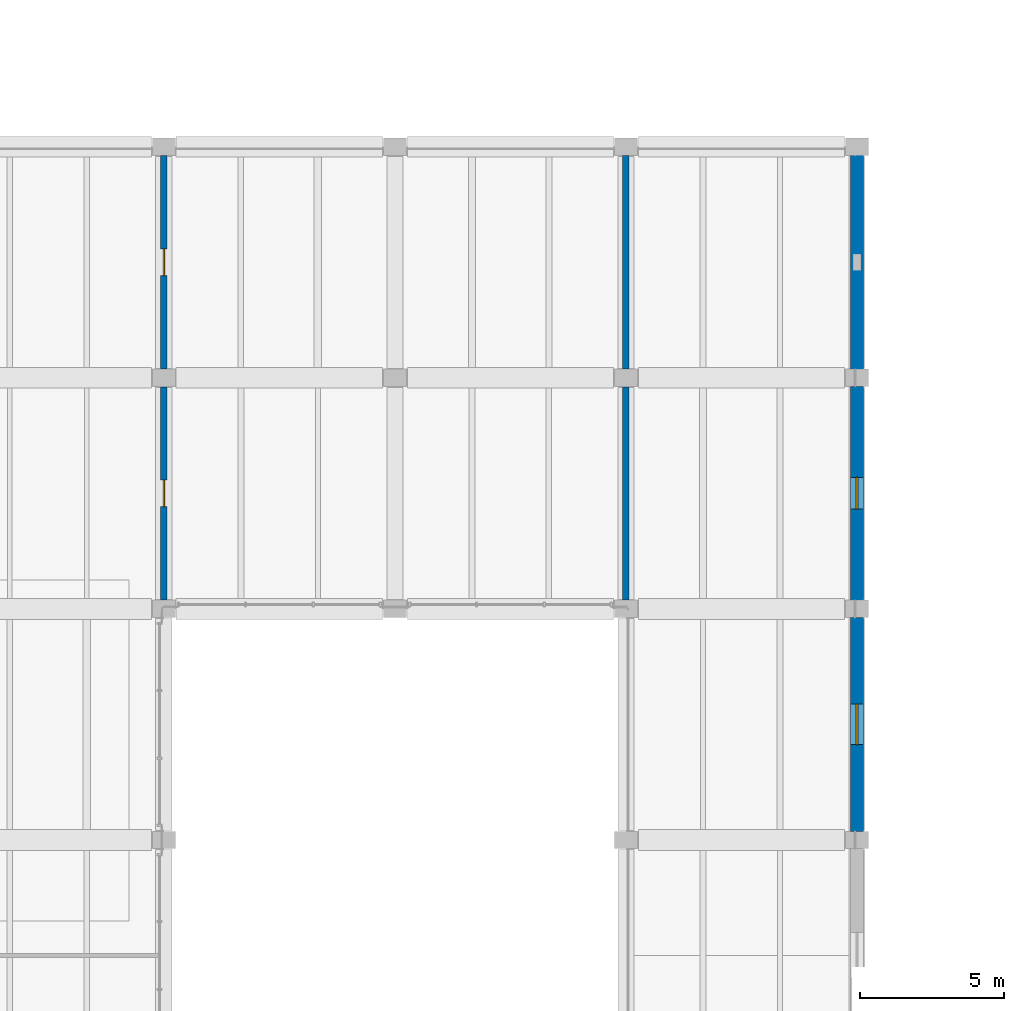
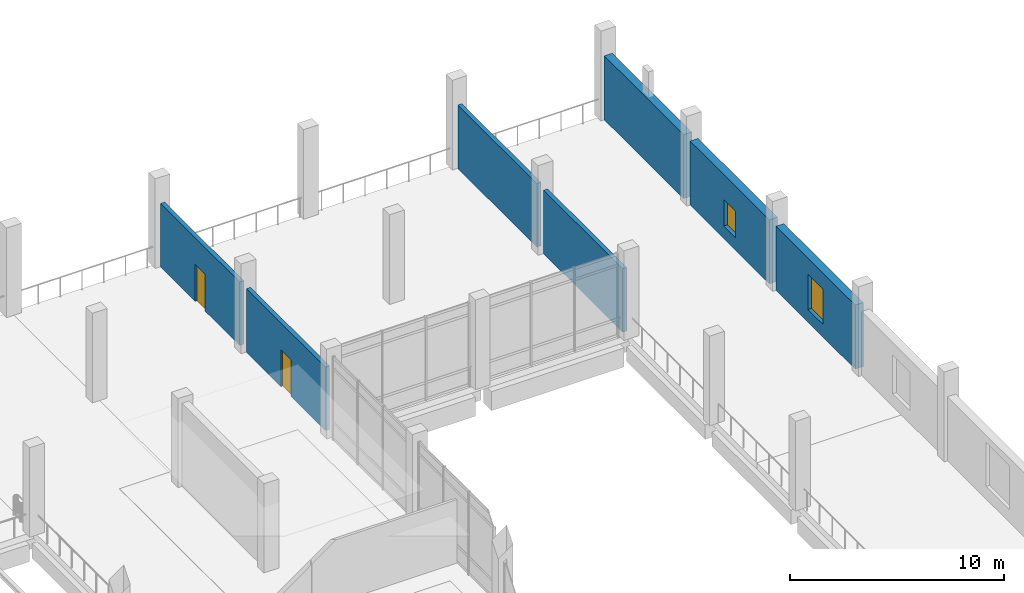
# One storey, part 40 of 61: 7 walls, 2 doors, 2 windows, 4 openings.
"""IFC4 building model written with IfcOpenShell, lengths in metres."""

from ifc_helpers import new_model, si_unit, direction, frame, frame_2d, origin, place, context, subcontext, project, spatial, rectangle, extrude, material, layer, layer_set, type_object, element, fill, save


model = new_model("IFC4")

# Units and contexts
model_context = context("Model", 3, precision=1e-05, world=origin(), true_north=direction((0.0, 1.0)))
body_context = subcontext(model_context, "Body", "Model", "MODEL_VIEW")
ifc_project = project(units=[si_unit("LENGTHUNIT", "METRE"), si_unit("AREAUNIT", "SQUARE_METRE"), si_unit("VOLUMEUNIT", "CUBIC_METRE"), si_unit("PLANEANGLEUNIT", "RADIAN"), si_unit("MASSUNIT", "GRAM", prefix="KILO")], contexts=[model_context])

# Site, building, storey
site_placement = place(None, origin())
site = spatial("IfcSite", under=ifc_project, at=site_placement, CompositionType="ELEMENT")
building_placement = place(site_placement, origin())
building = spatial("IfcBuilding", under=site, at=building_placement, Name="Pecanmere Concourse Central Library", CompositionType="ELEMENT")
storey_placement = place(building_placement, frame((0.0, 0.0, 5.39990234375)))
storey = spatial("IfcBuildingStorey", under=building, at=storey_placement, Name="L02", CompositionType="ELEMENT", Elevation=5.39990234375)

# Wall, opening, window
ifc_material_1 = material(Name="Texas cream limestone ashlar masonry", Category="masonry")
ifc_layer_1 = layer(ifc_material_1, 0.43994140625, Name="EW_LIME_440")
ifc_layer_set_1 = layer_set([ifc_layer_1], Name="Texas cream limestone ashlar masonry")
wall_type_1 = type_object("IfcWallType", Name="EW_LIME_440", PredefinedType="STANDARD", material=ifc_layer_set_1)
wall_1_placement = place(storey_placement, frame((152.0, 82.294921875, 0.0), z_axis=(0.0, 0.0, 1.0), x_axis=(0.0, 1.0, 0.0)))
wall_1 = element("IfcWall", 1, at=wall_1_placement, inside=storey, type_object=wall_type_1, Name="Limestone Facade Wall L02-0151", PredefinedType="STANDARD", context=body_context, shape_type="SweptSolid", body=[
    extrude(rectangle(XDim=7.41015625, YDim=0.43994140625, at=frame_2d((3.705078125, 0.0))), origin(), (0.0, 0.0, 1.0), 3.64013671875),
])
opening_1_placement = place(wall_1_placement, frame((3.0048828125, 0.0, 0.719970703125)))
opening_1 = element("IfcOpeningElement", 2, at=opening_1_placement, cuts=wall_1, Name="Opening WN-10", PredefinedType="OPENING", context=body_context, shape_type="SweptSolid", body=[
    extrude(rectangle(XDim=1.39990234375, YDim=2.0, at=frame_2d((0.699951171875, 1.0))), frame((0.0, 0.23193359375, 0.0), z_axis=(0.0, -1.0, 0.0), x_axis=(1.0, 0.0, 0.0)), (0.0, 0.0, 1.0), 0.4638671875),
])
ifc_material_2 = material(Name="Low-iron clear insulated glazing", Category="glass")
window_type_1 = type_object("IfcWindowType", Name="WIN_1400x2000", PartitioningType="SINGLE_PANEL", PredefinedType="WINDOW", material=ifc_material_2)
window_1_placement = place(opening_1_placement, origin())
window_1 = element("IfcWindow", 3, at=window_1_placement, inside=storey, type_object=window_type_1, Name="WN-129", OverallHeight=2.0, OverallWidth=1.39990234375, PartitioningType="SINGLE_PANEL", PredefinedType="WINDOW", context=body_context, shape_type="SweptSolid", body=[
    extrude(rectangle(XDim=1.39990234375, YDim=2.0, at=frame_2d((0.699951171875, 1.0))), frame((0.0, 0.030029296875, 0.0), z_axis=(0.0, -1.0, 0.0), x_axis=(1.0, 0.0, 0.0)), (0.0, 0.0, 1.0), 0.06005859375),
])
fill(opening_1, window_1)

wall_2_placement = place(storey_placement, frame((152.0, 90.294921875, 0.0), z_axis=(0.0, 0.0, 1.0), x_axis=(0.0, 1.0, 0.0)))
wall_2 = element("IfcWall", 4, at=wall_2_placement, inside=storey, type_object=wall_type_1, Name="Limestone Facade Wall L02-0153", PredefinedType="STANDARD", context=body_context, shape_type="SweptSolid", body=[
    extrude(rectangle(XDim=7.41015625, YDim=0.43994140625, at=frame_2d((3.705078125, 0.0))), origin(), (0.0, 0.0, 1.0), 3.64013671875),
])
opening_2_placement = place(wall_2_placement, frame((3.155029296875, 0.0, 0.719970703125)))
opening_2 = element("IfcOpeningElement", 5, at=opening_2_placement, cuts=wall_2, Name="Opening WN-14", PredefinedType="OPENING", context=body_context, shape_type="SweptSolid", body=[
    extrude(rectangle(XDim=1.10009765625, YDim=1.5, at=frame_2d((0.550048828125, 0.75))), frame((0.0, 0.23193359375, 0.0), z_axis=(0.0, -1.0, 0.0), x_axis=(1.0, 0.0, 0.0)), (0.0, 0.0, 1.0), 0.4638671875),
])
ifc_material_3 = material(Name="Low-iron clear insulated glazing", Category="glass")
window_type_2 = type_object("IfcWindowType", Name="WIN_1100x1500", PartitioningType="SINGLE_PANEL", PredefinedType="WINDOW", material=ifc_material_3)
window_2_placement = place(opening_2_placement, origin())
window_2 = element("IfcWindow", 6, at=window_2_placement, inside=storey, type_object=window_type_2, Name="WN-131", OverallHeight=1.5, OverallWidth=1.10009765625, PartitioningType="SINGLE_PANEL", PredefinedType="WINDOW", context=body_context, shape_type="SweptSolid", body=[
    extrude(rectangle(XDim=1.10009765625, YDim=1.5, at=frame_2d((0.550048828125, 0.75))), frame((0.0, 0.030029296875, 0.0), z_axis=(0.0, -1.0, 0.0), x_axis=(1.0, 0.0, 0.0)), (0.0, 0.0, 1.0), 0.06005859375),
])
fill(opening_2, window_2)

# Wall
wall_3_placement = place(storey_placement, frame((152.0, 98.294921875, 0.0), z_axis=(0.0, 0.0, 1.0), x_axis=(0.0, 1.0, 0.0)))
element("IfcWall", 7, at=wall_3_placement, inside=storey, type_object=wall_type_1, Name="Limestone Facade Wall L02-0155", PredefinedType="STANDARD", context=body_context, shape_type="SweptSolid", body=[
    extrude(rectangle(XDim=7.41015625, YDim=0.43994140625, at=frame_2d((3.705078125, 0.0))), origin(), (0.0, 0.0, 1.0), 3.64013671875),
])

# Wall, opening, door
ifc_material_4 = material(Name="Concrete masonry unit ASTM C90", Category="masonry")
ifc_layer_2 = layer(ifc_material_4, 0.22509765625, Name="IW_PLUMB_225")
ifc_layer_set_2 = layer_set([ifc_layer_2], Name="Concrete masonry unit ASTM C90")
wall_type_2 = type_object("IfcWallType", Name="IW_PLUMB_225", PredefinedType="PARTITIONING", material=ifc_layer_set_2)
wall_4_placement = place(storey_placement, frame((128.0, 90.31005859375, 0.0), z_axis=(0.0, 0.0, 1.0), x_axis=(0.0, 1.0, 0.0)))
wall_4 = element("IfcWall", 8, at=wall_4_placement, inside=storey, type_object=wall_type_2, Name="Interior Partition L02-0140", PredefinedType="PARTITIONING", context=body_context, shape_type="SweptSolid", body=[
    extrude(rectangle(XDim=7.3798828125, YDim=0.22509765625, at=frame_2d((3.68994140625, 0.0))), origin(), (0.0, 0.0, 1.0), 3.610107421875),
])
opening_3_placement = place(wall_4_placement, frame((3.22998046875, 0.0, 0.0)))
opening_3 = element("IfcOpeningElement", 9, at=opening_3_placement, cuts=wall_4, Name="Opening DT-07", PredefinedType="OPENING", context=body_context, shape_type="SweptSolid", body=[
    extrude(rectangle(XDim=0.919921875, YDim=2.10009765625, at=frame_2d((0.4599609375, 1.050048828125))), frame((0.0, 0.12451171875, 0.0), z_axis=(0.0, -1.0, 0.0), x_axis=(1.0, 0.0, 0.0)), (0.0, 0.0, 1.0), 0.2490234375),
])
ifc_material_5 = material(Name="Solid white oak architectural joinery")
door_type_1 = type_object("IfcDoorType", Name="DT-07", OperationType="SINGLE_SWING_LEFT", PredefinedType="DOOR", material=ifc_material_5)
door_1_placement = place(opening_3_placement, origin())
door_1 = element("IfcDoor", 10, at=door_1_placement, inside=storey, type_object=door_type_1, Name="D-190", OperationType="SINGLE_SWING_LEFT", OverallHeight=2.10009765625, OverallWidth=0.919921875, PredefinedType="DOOR", context=body_context, shape_type="SweptSolid", body=[
    extrude(rectangle(XDim=0.919921875, YDim=2.10009765625, at=frame_2d((0.4599609375, 1.050048828125))), frame((0.0, 0.02490234375, 0.0), z_axis=(0.0, -1.0, 0.0), x_axis=(1.0, 0.0, 0.0)), (0.0, 0.0, 1.0), 0.050048828125),
])
fill(opening_3, door_1)

wall_5_placement = place(storey_placement, frame((128.0, 98.31005859375, 0.0), z_axis=(0.0, 0.0, 1.0), x_axis=(0.0, 1.0, 0.0)))
wall_5 = element("IfcWall", 11, at=wall_5_placement, inside=storey, type_object=wall_type_2, Name="Interior Partition L02-0141", PredefinedType="PARTITIONING", context=body_context, shape_type="SweptSolid", body=[
    extrude(rectangle(XDim=7.3798828125, YDim=0.22509765625, at=frame_2d((3.68994140625, 0.0))), origin(), (0.0, 0.0, 1.0), 3.610107421875),
])
opening_4_placement = place(wall_5_placement, frame((3.22998046875, 0.0, 0.0)))
opening_4 = element("IfcOpeningElement", 12, at=opening_4_placement, cuts=wall_5, Name="Opening DT-08", PredefinedType="OPENING", context=body_context, shape_type="SweptSolid", body=[
    extrude(rectangle(XDim=0.919921875, YDim=2.10009765625, at=frame_2d((0.4599609375, 1.050048828125))), frame((0.0, 0.12451171875, 0.0), z_axis=(0.0, -1.0, 0.0), x_axis=(1.0, 0.0, 0.0)), (0.0, 0.0, 1.0), 0.2490234375),
])
ifc_material_6 = material(Name="Solid white oak architectural joinery")
door_type_2 = type_object("IfcDoorType", Name="DT-08", OperationType="SINGLE_SWING_RIGHT", PredefinedType="DOOR", material=ifc_material_6)
door_2_placement = place(opening_4_placement, frame((0.919921875, 0.0, 0.0), z_axis=(0.0, 0.0, 1.0), x_axis=(-1.0, 0.0, 0.0)))
door_2 = element("IfcDoor", 13, at=door_2_placement, inside=storey, type_object=door_type_2, Name="D-191", OperationType="SINGLE_SWING_RIGHT", OverallHeight=2.10009765625, OverallWidth=0.919921875, PredefinedType="DOOR", context=body_context, shape_type="SweptSolid", body=[
    extrude(rectangle(XDim=0.919921875, YDim=2.10009765625, at=frame_2d((0.4599609375, 1.050048828125))), frame((0.0, 0.02490234375, 0.0), z_axis=(0.0, -1.0, 0.0), x_axis=(1.0, 0.0, 0.0)), (0.0, 0.0, 1.0), 0.050048828125),
])
fill(opening_4, door_2)

# Walls
for number, where, z_axis, x_axis, name in (
    (14, (144.0, 90.31005859375, 0.0), (0.0, 0.0, 1.0), (0.0, 1.0, 0.0), "Interior Partition L02-0142"),
    (15, (144.0, 98.31005859375, 0.0), (0.0, 0.0, 1.0), (0.0, 1.0, 0.0), "Interior Partition L02-0143"),
):
    element("IfcWall", number, at=place(storey_placement, frame(where, z_axis=z_axis, x_axis=x_axis)), inside=storey, type_object=wall_type_2, Name=name, PredefinedType="PARTITIONING", context=body_context, shape_type="SweptSolid", body=[
        extrude(rectangle(XDim=7.3798828125, YDim=0.22509765625, at=frame_2d((3.68994140625, 0.0))), origin(), (0.0, 0.0, 1.0), 3.610107421875),
    ])

save(model, "model.ifc")
